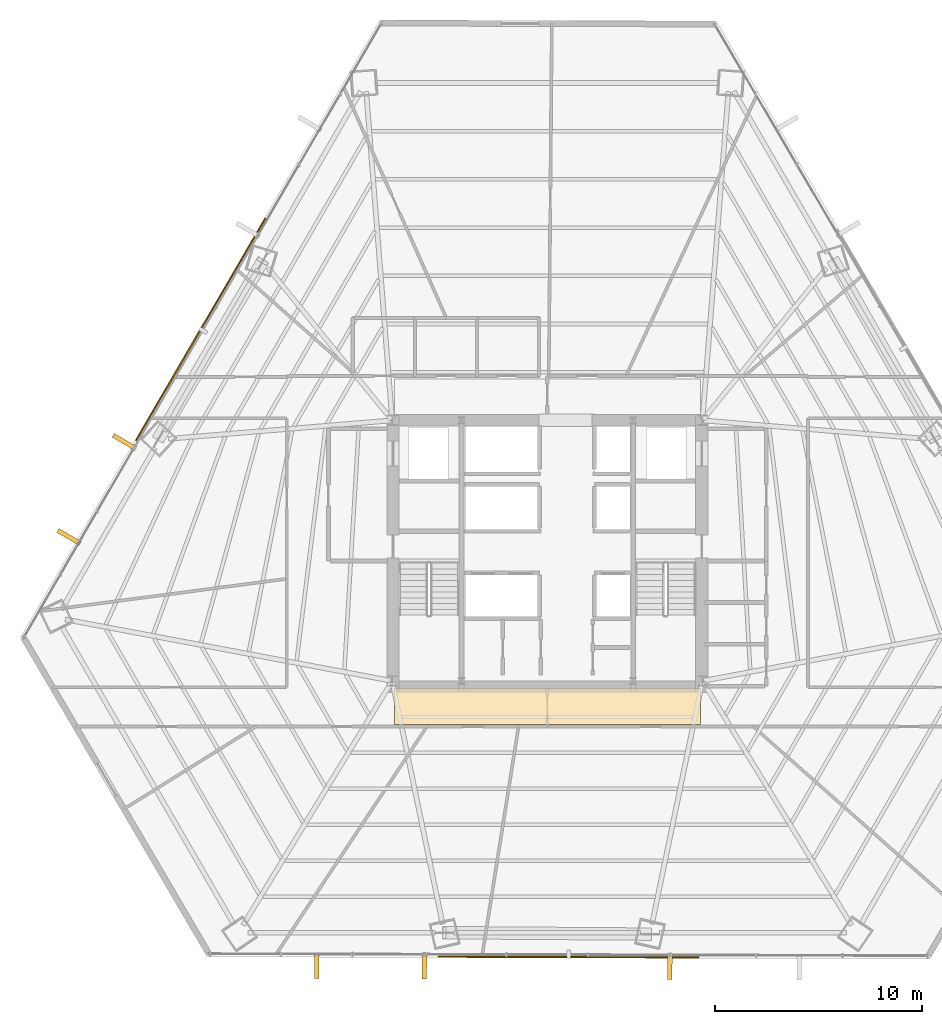
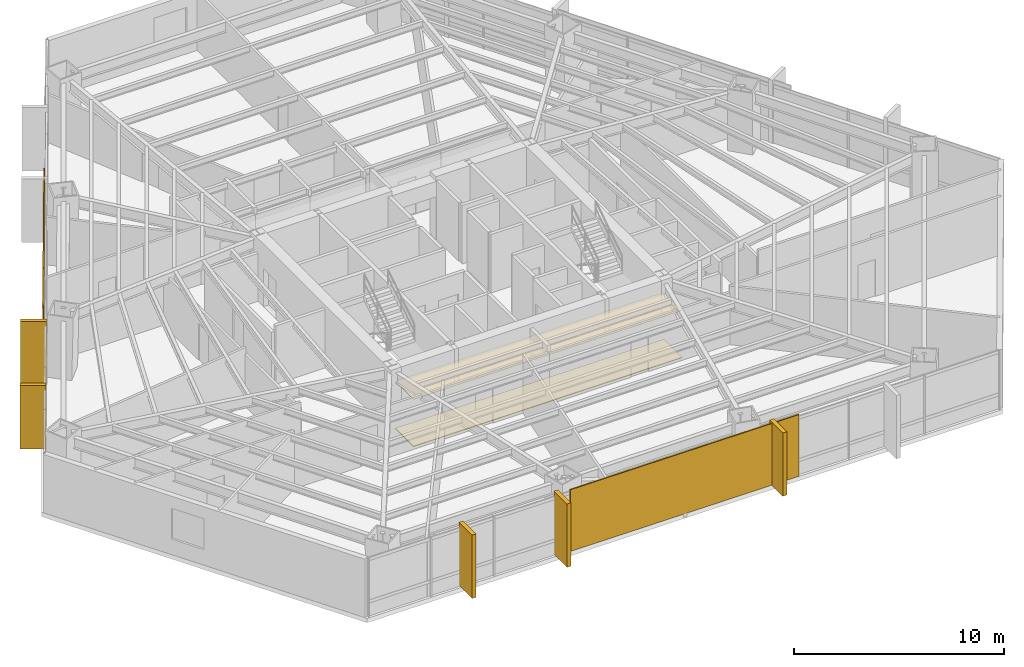
# One storey, part 35 of 37: 7 coverings, 2 shading devices.
"""IFC4 building model written with IfcOpenShell, lengths in metres."""

from ifc_helpers import new_model, si_unit, direction, frame, origin, origin_2d, place, context, subcontext, project, spatial, polyline, rectangle, outline, extrude, source, transform, mapped, material, layer, layer_set, type_object, type_shapes, element, save


model = new_model("IFC4")

# Units and contexts
model_context = context("Model", 3, precision=1e-05, world=origin(), true_north=direction((0.0, 1.0)))
body_context = subcontext(model_context, "Body", "Model", "MODEL_VIEW")
ifc_project = project(units=[si_unit("LENGTHUNIT", "METRE"), si_unit("AREAUNIT", "SQUARE_METRE"), si_unit("VOLUMEUNIT", "CUBIC_METRE"), si_unit("PLANEANGLEUNIT", "RADIAN"), si_unit("MASSUNIT", "GRAM", prefix="KILO")], contexts=[model_context])

# Site, building, storey
site_placement = place(None, origin())
site = spatial("IfcSite", under=ifc_project, at=site_placement, CompositionType="ELEMENT")
building_placement = place(site_placement, origin())
building = spatial("IfcBuilding", under=site, at=building_placement, Name="Caelisora Broadcast Tower", CompositionType="ELEMENT")
storey_placement = place(building_placement, frame((0.0, 0.0, 45.85009765625)))
storey = spatial("IfcBuildingStorey", under=building, at=storey_placement, Name="L11", CompositionType="ELEMENT", Elevation=45.85009765625)

# Coverings
ifc_material_1 = material(Name="Perforated Mineral-Fibre Acoustic Ceiling Tile", Category="gypsum")
ifc_layer_1 = layer(ifc_material_1, 0.034912109375, Name="Perforated Mineral-Fibre Acoustic Ceiling Tile")
ifc_layer_set_1 = layer_set([ifc_layer_1], Name="Perforated Mineral-Fibre Acoustic Ceiling Tile")
covering_type_1 = type_object("IfcCoveringType", Name="CE-1", PredefinedType="CEILING", material=ifc_layer_set_1)
covering_1_placement = place(storey_placement, frame((0.0, 0.0, 2.75)))
element("IfcCovering", 1, at=covering_1_placement, inside=storey, type_object=covering_type_1, Name="L11 acoustic corridor ceiling CE-1 (S)", PredefinedType="CEILING", context=body_context, shape_type="SweptSolid", body=[
    extrude(outline(polyline([(30.60009765625, 15.300048828125), (45.39990234375, 15.300048828125), (45.39990234375, 17.050048828125), (30.60009765625, 17.050048828125), (30.60009765625, 15.300048828125)])), origin(), (0.0, 0.0, 1.0), 0.034912109375),
])
ifc_material_2 = material(Name="Anti-Static Broadcast Raised Access Floor Panel", Category="steel")
ifc_layer_2 = layer(ifc_material_2, 0.044921875, Name="Anti-Static Broadcast Raised Access Floor Panel")
ifc_layer_set_2 = layer_set([ifc_layer_2], Name="Anti-Static Broadcast Raised Access Floor Panel")
covering_type_2 = type_object("IfcCoveringType", Name="FL-1", PredefinedType="FLOORING", material=ifc_layer_set_2)
covering_2_placement = place(storey_placement, origin())
element("IfcCovering", 2, at=covering_2_placement, inside=storey, type_object=covering_type_2, Name="L11 broadcast raised access floor FL-1 (S)", PredefinedType="FLOORING", context=body_context, shape_type="SweptSolid", body=[
    extrude(outline(polyline([(30.60009765625, 15.300048828125), (45.39990234375, 15.300048828125), (45.39990234375, 17.050048828125), (30.60009765625, 17.050048828125), (30.60009765625, 15.300048828125)])), origin(), (0.0, 0.0, 1.0), 0.044921875),
])
ifc_material_3 = material(Name="Kiln-Fired Terracotta Spandrel Rainscreen Cladding", Category="ceramic")
ifc_layer_3 = layer(ifc_material_3, 0.044921875, Name="Kiln-Fired Terracotta Spandrel Rainscreen Cladding")
ifc_layer_set_3 = layer_set([ifc_layer_3], Name="Kiln-Fired Terracotta Spandrel Rainscreen Cladding")
covering_type_3 = type_object("IfcCoveringType", Name="CL-1", PredefinedType="CLADDING", material=ifc_layer_set_3)
shared_shape_1 = source(origin(), body_context, "Body", "SweptSolid", [
    extrude(rectangle(XDim=0.219970703125, YDim=1.25, at=origin_2d()), origin(), (0.0, 0.0, 1.0), 3.68994140625),
])
type_shapes(covering_type_3, [shared_shape_1])
for number, where, z_axis, x_axis, name in (
    (3, (43.929931640625, 3.5869140625, -0.02001953125), (0.0, 0.0, 1.0), (-0.9999961009, 0.002792523174, 0.0), "L11 vertical solar fin cladding #2-2"),
    (4, (32.061279296875, 3.619873046875, -0.02001953125), (0.0, 0.0, 1.0), (-0.9999961009, 0.002792523174, 0.0), "L11 vertical solar fin cladding #2-3"),
    (5, (26.847900390625, 3.634521484375, -0.02001953125), (0.0, 0.0, 1.0), (-0.9999961009, 0.002792523174, 0.0), "L11 vertical solar fin cladding #2-4"),
    (6, (14.872802734375, 24.365234375, -0.02001953125), (0.0, 0.0, 1.0), (0.503321604797, 0.864099162217, 0.0), "L11 vertical solar fin cladding #3-1"),
    (7, (17.54931640625, 28.960693359375, -0.02001953125), (0.0, 0.0, 1.0), (0.503321604797, 0.864099162217, 0.0), "L11 vertical solar fin cladding #3-2"),
):
    element("IfcCovering", number, at=place(storey_placement, frame(where, z_axis=z_axis, x_axis=x_axis)), inside=storey, type_object=covering_type_3, Name=name, PredefinedType="CLADDING", context=body_context, shape_type="MappedRepresentation", body=[
        mapped(shared_shape_1, transform((0.0, 0.0, 0.0), scale=1.0)),
    ])

# Shading devices
ifc_material_4 = material(Name="Perforated Glazed Terracotta Baguette Solar Screen", Category="ceramic")
ifc_layer_4 = layer(ifc_material_4, 0.06494140625, Name="Perforated Glazed Terracotta Baguette Solar Screen")
ifc_layer_set_4 = layer_set([ifc_layer_4], Name="Perforated Glazed Terracotta Baguette Solar Screen")
shading_device_type = type_object("IfcShadingDeviceType", Name="SS-1", PredefinedType="USERDEFINED", material=ifc_layer_set_4)
shared_shape_2 = source(origin(), body_context, "Body", "SweptSolid", [
    extrude(rectangle(XDim=12.444091796875, YDim=0.06494140625, at=origin_2d()), origin(), (0.0, 0.0, 1.0), 3.590087890625),
])
shading_device_1_placement = place(storey_placement, frame((21.239501953125, 34.40234375, 0.0), z_axis=(0.0, 0.0, 1.0), x_axis=(-0.503321604797, -0.864099162217, 0.0)))
element("IfcShadingDevice", 8, at=shading_device_1_placement, inside=storey, type_object=shading_device_type, Name="L11 perforated terracotta solar screen #1", ObjectType="SOLAR SCREEN", PredefinedType="USERDEFINED", context=body_context, shape_type="MappedRepresentation", body=[
    mapped(shared_shape_2, transform((0.0, 0.0, 0.0), scale=1.0)),
])
shared_shape_3 = source(origin(), body_context, "Body", "SweptSolid", [
    extrude(rectangle(XDim=12.5869140625, YDim=0.06494140625, at=origin_2d()), origin(), (0.0, 0.0, 1.0), 3.590087890625),
])
type_shapes(shading_device_type, [shared_shape_2, shared_shape_3])
shading_device_2_placement = place(storey_placement, frame((39.031982421875, 4.050537109375, 0.0), z_axis=(0.0, 0.0, 1.0), x_axis=(0.9999961009, -0.002792523174, 0.0)))
element("IfcShadingDevice", 9, at=shading_device_2_placement, inside=storey, type_object=shading_device_type, Name="L11 perforated terracotta solar screen #2", ObjectType="SOLAR SCREEN", PredefinedType="USERDEFINED", context=body_context, shape_type="MappedRepresentation", body=[
    mapped(shared_shape_3, transform((0.0, 0.0, 0.0), scale=1.0)),
])

save(model, "model.ifc")
